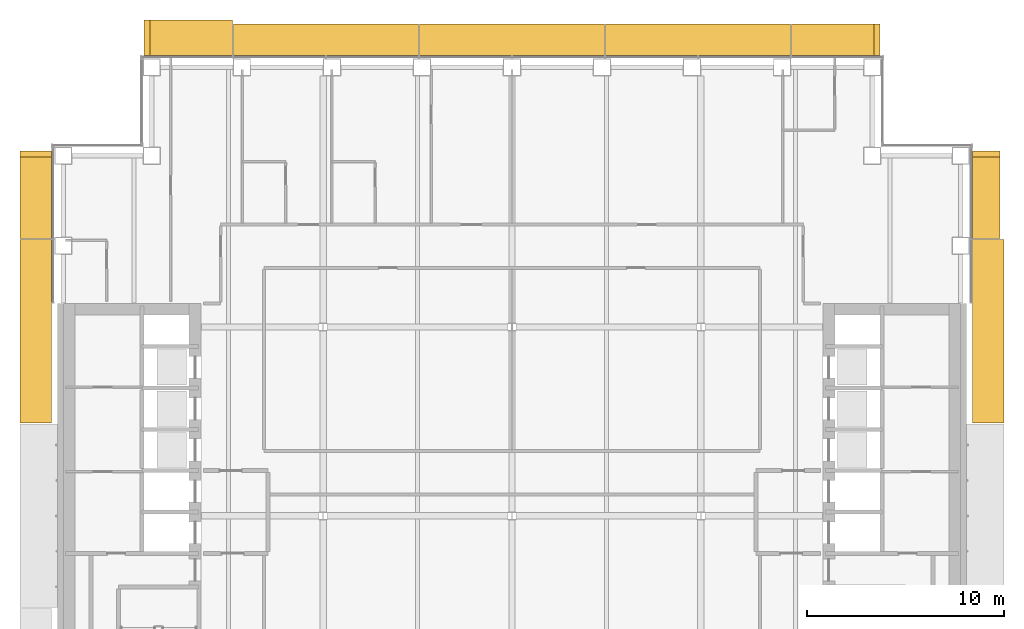
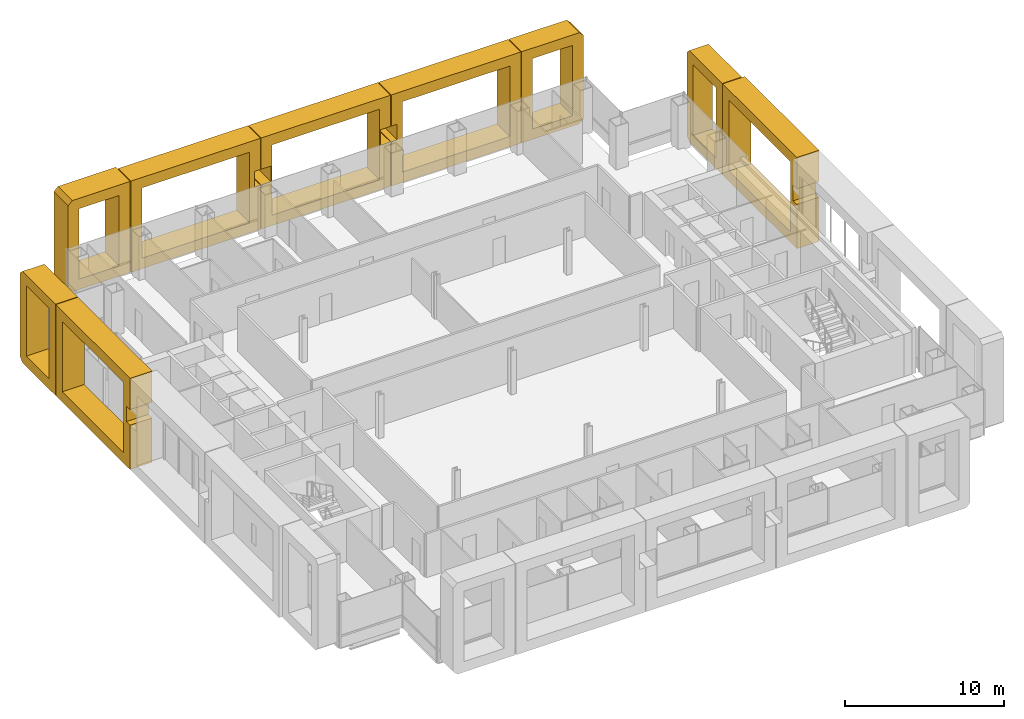
# One storey, part 18 of 19: 9 coverings.
"""IFC4 building model written with IfcOpenShell, lengths in metres."""

from ifc_helpers import new_model, si_unit, direction, frame, origin, place, context, subcontext, project, spatial, polyline, outline, extrude, material, type_object, element, save


model = new_model("IFC4")

# Units and contexts
model_context = context("Model", 3, precision=1e-05, world=origin(), true_north=direction((0.0, 1.0)))
body_context = subcontext(model_context, "Body", "Model", "MODEL_VIEW")
ifc_project = project(units=[si_unit("LENGTHUNIT", "METRE"), si_unit("AREAUNIT", "SQUARE_METRE"), si_unit("VOLUMEUNIT", "CUBIC_METRE"), si_unit("PLANEANGLEUNIT", "RADIAN"), si_unit("MASSUNIT", "GRAM", prefix="KILO")], contexts=[model_context])

# Site, building, storey
site_placement = place(None, origin())
site = spatial("IfcSite", under=ifc_project, at=site_placement, CompositionType="ELEMENT")
building_placement = place(site_placement, origin())
building = spatial("IfcBuilding", under=site, at=building_placement, Name="Cobrizo Arcos Hotel Tower", CompositionType="ELEMENT")
storey_placement = place(building_placement, frame((0.0, 0.0, 103.0)))
storey = spatial("IfcBuildingStorey", under=building, at=storey_placement, Name="L25", CompositionType="ELEMENT", Elevation=103.0)

# Coverings
ifc_material = material(Name="Aluminium 6063-T6 anodised bronze", Category="aluminium")
covering_type_1 = type_object("IfcCoveringType", Name="FIN-F 1400", PredefinedType="CLADDING", material=ifc_material)
covering_1_placement = place(storey_placement, frame((23.39990234375, 14.08740234375, 0.0), z_axis=(1.0, 0.0, 0.0), x_axis=(0.0, 1.0, 0.0)))
element("IfcCovering", 1, at=covering_1_placement, inside=storey, type_object=covering_type_1, Name="Fin frame 115", PredefinedType="CLADDING", context=body_context, shape_type="SweptSolid", body=[
    extrude(outline(polyline([(0.0, 7.0), (0.0, 0.0), (4.16259765625, 0.0), (4.46240234375, 0.300048828125), (4.46240234375, 6.699951171875), (4.16259765625, 7.0), (0.0, 7.0)]), holes=[polyline([(3.66259765625, 0.800048828125), (0.800048828125, 0.800048828125), (0.800048828125, 6.199951171875), (3.66259765625, 6.199951171875), (3.66259765625, 0.800048828125)])]), origin(), (0.0, 0.0, 1.0), 1.400146484375),
])
covering_type_2 = type_object("IfcCoveringType", Name="FIN-F 1600", PredefinedType="CLADDING", material=ifc_material)
covering_2_placement = place(storey_placement, frame((18.699951171875, 23.39990234375, 0.0), z_axis=(0.0, 1.0, 0.0), x_axis=(-1.0, 0.0, 0.0)))
element("IfcCovering", 2, at=covering_2_placement, inside=storey, type_object=covering_type_2, Name="Fin frame 90", PredefinedType="CLADDING", context=body_context, shape_type="SweptSolid", body=[
    extrude(outline(polyline([(0.0, 0.300048828125), (0.300048828125, 0.0), (4.5, 0.0), (4.5, 7.0), (0.300048828125, 7.0), (0.0, 6.699951171875), (0.0, 0.300048828125)]), holes=[polyline([(3.699951171875, 0.800048828125), (0.800048828125, 0.800048828125), (0.800048828125, 6.199951171875), (3.699951171875, 6.199951171875), (3.699951171875, 0.800048828125)])]), origin(), (0.0, 0.0, 1.0), 1.60009765625),
])
covering_3_placement = place(storey_placement, frame((14.14990234375, 23.39990234375, 0.0), z_axis=(0.0, 1.0, 0.0), x_axis=(-1.0, 0.0, 0.0)))
element("IfcCovering", 3, at=covering_3_placement, inside=storey, type_object=covering_type_2, Name="Fin frame 91", PredefinedType="CLADDING", context=body_context, shape_type="SweptSolid", body=[
    extrude(outline(polyline([(9.39990234375, 0.0), (9.39990234375, 3.39794921875), (8.972900390625, 3.39794921875), (8.972900390625, 4.60205078125), (9.39990234375, 4.60205078125), (9.39990234375, 7.0), (0.0, 7.0), (0.0, 0.0), (9.39990234375, 0.0)]), holes=[polyline([(8.60009765625, 0.800048828125), (0.800048828125, 0.800048828125), (0.800048828125, 6.199951171875), (8.60009765625, 6.199951171875), (8.60009765625, 0.800048828125)])]), origin(), (0.0, 0.0, 1.0), 1.60009765625),
])
covering_4_placement = place(storey_placement, frame((4.699951171875, 23.39990234375, 0.0), z_axis=(0.0, 1.0, 0.0), x_axis=(-1.0, 0.0, 0.0)))
element("IfcCovering", 4, at=covering_4_placement, inside=storey, type_object=covering_type_2, Name="Fin frame 92", PredefinedType="CLADDING", context=body_context, shape_type="SweptSolid", body=[
    extrude(outline(polyline([(9.39990234375, 0.0), (9.39990234375, 3.39794921875), (8.673095703125, 3.39794921875), (8.673095703125, 4.60205078125), (9.39990234375, 4.60205078125), (9.39990234375, 7.0), (0.0, 7.0), (0.0, 4.60205078125), (0.72705078125, 4.60205078125), (0.72705078125, 3.39794921875), (0.0, 3.39794921875), (0.0, 0.0), (9.39990234375, 0.0)]), holes=[polyline([(8.60009765625, 0.800048828125), (0.800048828125, 0.800048828125), (0.800048828125, 6.199951171875), (8.60009765625, 6.199951171875), (8.60009765625, 0.800048828125)])]), origin(), (0.0, 0.0, 1.0), 1.60009765625),
])
covering_5_placement = place(storey_placement, frame((-4.75, 23.39990234375, 0.0), z_axis=(0.0, 1.0, 0.0), x_axis=(-1.0, 0.0, 0.0)))
element("IfcCovering", 5, at=covering_5_placement, inside=storey, type_object=covering_type_2, Name="Fin frame 93", PredefinedType="CLADDING", context=body_context, shape_type="SweptSolid", body=[
    extrude(outline(polyline([(0.0, 7.0), (0.0, 4.60205078125), (0.427001953125, 4.60205078125), (0.427001953125, 3.39794921875), (0.0, 3.39794921875), (0.0, 0.0), (9.39990234375, 0.0), (9.39990234375, 7.0), (0.0, 7.0)]), holes=[polyline([(8.60009765625, 0.800048828125), (0.800048828125, 0.800048828125), (0.800048828125, 6.199951171875), (8.60009765625, 6.199951171875), (8.60009765625, 0.800048828125)])]), origin(), (0.0, 0.0, 1.0), 1.60009765625),
])
covering_6_placement = place(storey_placement, frame((23.39990234375, 4.71240234375, 0.0), z_axis=(1.0, 0.0, 0.0), x_axis=(0.0, 1.0, 0.0)))
element("IfcCovering", 6, at=covering_6_placement, inside=storey, type_object=covering_type_2, Name="Fin frame 114", PredefinedType="CLADDING", context=body_context, shape_type="SweptSolid", body=[
    extrude(outline(polyline([(0.0, 7.0), (0.0, 4.60205078125), (0.464599609375, 4.60205078125), (0.464599609375, 3.39794921875), (0.0, 3.39794921875), (0.0, 0.0), (9.324951171875, 0.0), (9.324951171875, 7.0), (0.0, 7.0)]), holes=[polyline([(8.52490234375, 0.800048828125), (0.800048828125, 0.800048828125), (0.800048828125, 6.199951171875), (8.52490234375, 6.199951171875), (8.52490234375, 0.800048828125)])]), origin(), (0.0, 0.0, 1.0), 1.60009765625),
])
covering_7_placement = place(storey_placement, frame((-23.39990234375, 18.550048828125, 0.0), z_axis=(-1.0, 0.0, 0.0), x_axis=(0.0, -1.0, 0.0)))
element("IfcCovering", 7, at=covering_7_placement, inside=storey, type_object=covering_type_2, Name="Fin frame 154", PredefinedType="CLADDING", context=body_context, shape_type="SweptSolid", body=[
    extrude(outline(polyline([(0.0, 0.300048828125), (0.300048828125, 0.0), (4.46240234375, 0.0), (4.46240234375, 7.0), (0.300048828125, 7.0), (0.0, 6.699951171875), (0.0, 0.300048828125)]), holes=[polyline([(3.66259765625, 0.800048828125), (0.800048828125, 0.800048828125), (0.800048828125, 6.199951171875), (3.66259765625, 6.199951171875), (3.66259765625, 0.800048828125)])]), origin(), (0.0, 0.0, 1.0), 1.60009765625),
])
covering_8_placement = place(storey_placement, frame((-23.39990234375, 14.03759765625, 0.0), z_axis=(-1.0, 0.0, 0.0), x_axis=(0.0, -1.0, 0.0)))
element("IfcCovering", 8, at=covering_8_placement, inside=storey, type_object=covering_type_2, Name="Fin frame 155", PredefinedType="CLADDING", context=body_context, shape_type="SweptSolid", body=[
    extrude(outline(polyline([(9.324951171875, 0.0), (9.324951171875, 3.39794921875), (8.860595703125, 3.39794921875), (8.860595703125, 4.60205078125), (9.324951171875, 4.60205078125), (9.324951171875, 7.0), (0.0, 7.0), (0.0, 0.0), (9.324951171875, 0.0)]), holes=[polyline([(8.52490234375, 0.800048828125), (0.800048828125, 0.800048828125), (0.800048828125, 6.199951171875), (8.52490234375, 6.199951171875), (8.52490234375, 0.800048828125)])]), origin(), (0.0, 0.0, 1.0), 1.60009765625),
])
covering_type_3 = type_object("IfcCoveringType", Name="FIN-F 1800", PredefinedType="CLADDING", material=ifc_material)
covering_9_placement = place(storey_placement, frame((-14.199951171875, 23.39990234375, 0.0), z_axis=(0.0, 1.0, 0.0), x_axis=(-1.0, 0.0, 0.0)))
element("IfcCovering", 9, at=covering_9_placement, inside=storey, type_object=covering_type_3, Name="Fin frame 94", PredefinedType="CLADDING", context=body_context, shape_type="SweptSolid", body=[
    extrude(outline(polyline([(0.0, 7.0), (0.0, 0.0), (4.199951171875, 0.0), (4.5, 0.300048828125), (4.5, 6.699951171875), (4.199951171875, 7.0), (0.0, 7.0)]), holes=[polyline([(3.699951171875, 0.800048828125), (0.800048828125, 0.800048828125), (0.800048828125, 6.199951171875), (3.699951171875, 6.199951171875), (3.699951171875, 0.800048828125)])]), origin(), (0.0, 0.0, 1.0), 1.800048828125),
])

save(model, "model.ifc")
